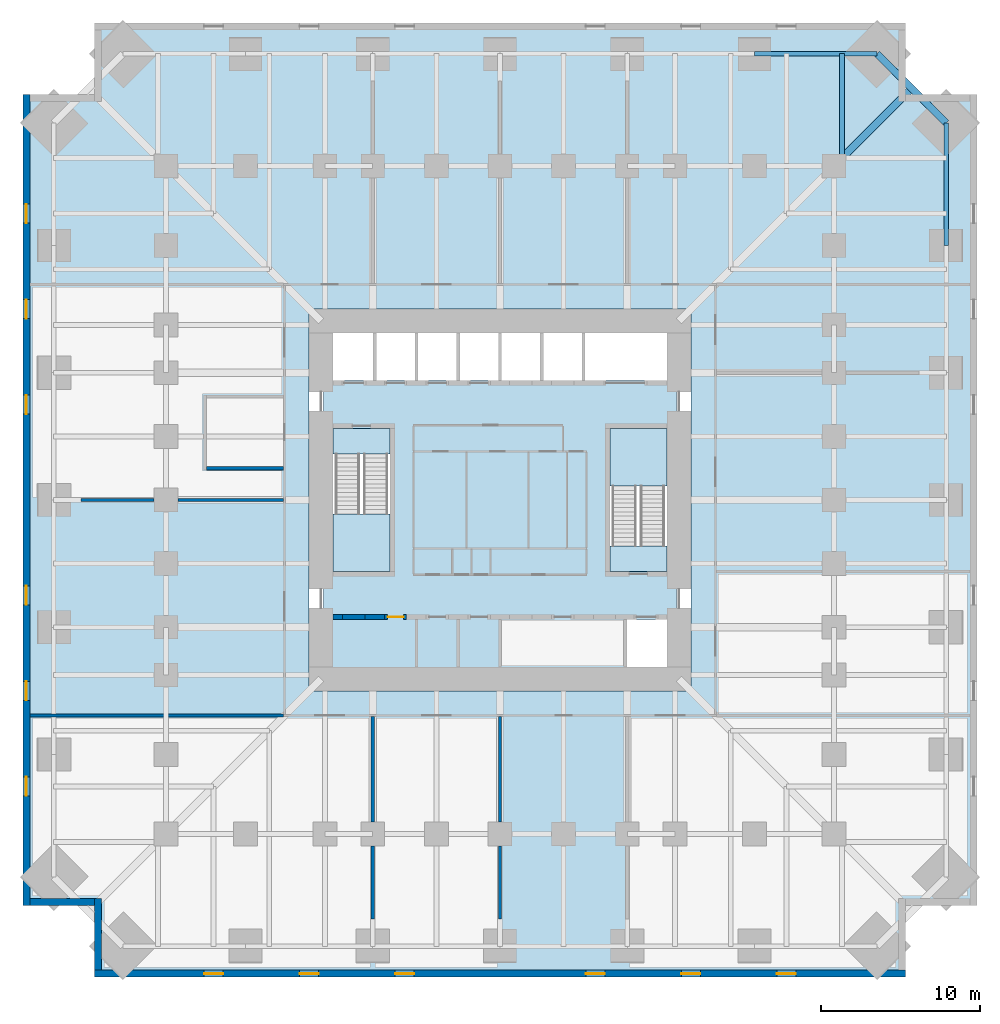
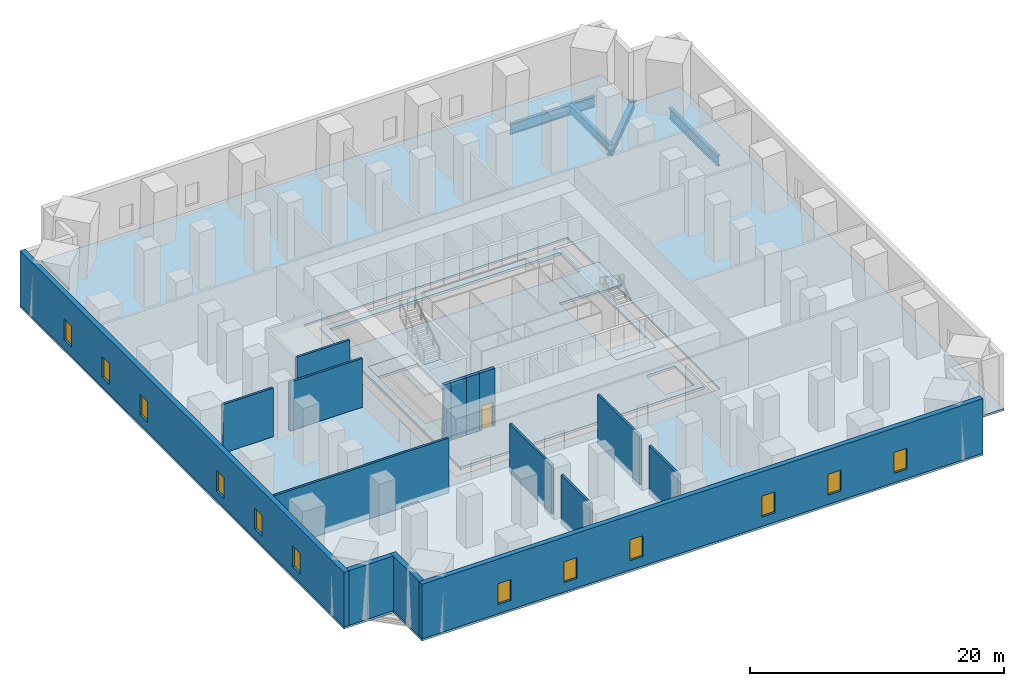
# One storey, part 3 of 8: 16 walls, 12 windows, 6 slabs, 5 beams, 1 door, 13 openings, 2 elements without a shape of their own.
"""IFC4 building model written with IfcOpenShell, lengths in metres."""

import ifcopenshell
import ifcopenshell.guid

model = None  # the IFC model being written
_history = None  # IfcOwnerHistory: only IFC2X3 demands one
_inside = {}  # id of a spatial element -> (the spatial element, [elements in it])
_under = {}  # id of a project, library or spatial element -> (it, [spatial elements below it])
_declared = {}  # id of a project -> (the project, [libraries it declares])
_typed = {}  # id of a type object -> (the type object, [elements of that type])
_made_of = {}  # id of a material, layer set ... -> (it, [elements and type objects made of it])


def new_model(schema):
    """Start an empty IFC model of exactly this schema.

    Asked for "IFC4X3", IfcOpenShell would pick the latest addendum, in which some entities
    have other attributes; the version numbers below select the first issue.
    IFC2X3 requires an IfcOwnerHistory on every rooted entity: one is made here for all.
    """
    global model, _history
    if schema == "IFC4X3":
        model = ifcopenshell.file(schema_version=(4, 3, 0, 0))
    else:
        model = ifcopenshell.file(schema=schema)
    _inside.clear()
    _under.clear()
    _declared.clear()
    _typed.clear()
    _made_of.clear()
    _history = None
    if model.schema == "IFC2X3":
        org = make("IfcOrganization", Name="unknown")
        user = make(
            "IfcPersonAndOrganization",
            ThePerson=make("IfcPerson", FamilyName="unknown"),
            TheOrganization=org,
        )
        app = make(
            "IfcApplication",
            ApplicationDeveloper=org,
            Version="unknown",
            ApplicationFullName="unknown",
            ApplicationIdentifier="unknown",
        )
        _history = make(
            "IfcOwnerHistory",
            OwningUser=user,
            OwningApplication=app,
            ChangeAction="ADDED",
            CreationDate=0,
        )
    return model


def make(cls, **values):
    """One entity of the class cls with the attributes given. An attribute that is None is left unset."""
    return model.create_entity(
        cls, **{name: value for name, value in values.items() if value is not None}
    )


def rooted(cls, **values):
    """An entity with a GlobalId (a new one), such as an element, a storey or a relation."""
    return make(cls, GlobalId=ifcopenshell.guid.new(), OwnerHistory=_history, **values)


def si_unit(unit_type, name, prefix=None):
    """IfcSIUnit, for example si_unit("LENGTHUNIT", "METRE", prefix="MILLI")."""
    return make("IfcSIUnit", UnitType=unit_type, Prefix=prefix, Name=name)


def assignment(units):
    """IfcUnitAssignment: the units of a project."""
    return None if units is None else make("IfcUnitAssignment", Units=units)


def point(xyz):
    """IfcCartesianPoint."""
    return None if xyz is None else make("IfcCartesianPoint", Coordinates=xyz)


def direction(xyz):
    """IfcDirection."""
    return None if xyz is None else make("IfcDirection", DirectionRatios=xyz)


def frame(location, z_axis=None, x_axis=None):
    """IfcAxis2Placement3D, a coordinate frame: its origin and axes. An axis left out is left unset."""
    return make(
        "IfcAxis2Placement3D",
        Location=point(location),
        Axis=direction(z_axis),
        RefDirection=direction(x_axis),
    )


def frame_2d(location, x_axis=None):
    """IfcAxis2Placement2D, a coordinate frame in the plane: its origin and x axis."""
    return make(
        "IfcAxis2Placement2D", Location=point(location), RefDirection=direction(x_axis)
    )


def origin():
    """The frame at (0, 0, 0) with its axes left unset."""
    return frame((0.0, 0.0, 0.0))


def origin_2d():
    """The frame at (0, 0) in the plane with its x axis left unset."""
    return frame_2d((0.0, 0.0))


def place(relative_to, where):
    """IfcLocalPlacement: puts the frame where relative to a parent placement (None: the world)."""
    return make(
        "IfcLocalPlacement", PlacementRelTo=relative_to, RelativePlacement=where
    )


def context(
    kind, dimensions, precision=None, world=None, true_north=None, identifier=None
):
    """IfcGeometricRepresentationContext, for example the 3D "Model" context."""
    return make(
        "IfcGeometricRepresentationContext",
        ContextIdentifier=identifier,
        ContextType=kind,
        CoordinateSpaceDimension=dimensions,
        Precision=precision,
        WorldCoordinateSystem=world,
        TrueNorth=true_north,
    )


def subcontext(parent, identifier, kind, view, scale=None):
    """IfcGeometricRepresentationSubContext, for example "Body" below "Model"."""
    return make(
        "IfcGeometricRepresentationSubContext",
        ContextIdentifier=identifier,
        ContextType=kind,
        ParentContext=parent,
        TargetScale=scale,
        TargetView=view,
    )


def project(units=None, contexts=None):
    """IfcProject with its units and contexts."""
    return rooted(
        "IfcProject",
        Name="project",
        RepresentationContexts=contexts,
        UnitsInContext=assignment(units),
    )


def spatial(cls, under=None, at=None, **own):
    """A site, building, storey or space (cls), placed at a placement, below another one or the project."""
    s = rooted(cls, ObjectPlacement=at, **own)
    if under is not None:
        _under.setdefault(under.id(), (under, []))[1].append(s)
    return s


def polyline(points):
    """IfcPolyline through the points."""
    return make("IfcPolyline", Points=[point(p) for p in points])


def profile(cls, at=None, kind="AREA", **sizes):
    """A parametric profile (cls). Its sizes go by their IFC names, for example OverallWidth=200.0."""
    return make(cls, ProfileType=kind, Position=at, **sizes)


def rectangle(**sizes):
    """IfcRectangleProfileDef."""
    return profile("IfcRectangleProfileDef", **sizes)


def i_section(**sizes):
    """IfcIShapeProfileDef."""
    return profile("IfcIShapeProfileDef", **sizes)


def outline(outer, holes=None, kind="AREA"):
    """IfcArbitraryClosedProfileDef: a profile drawn as a closed curve; with holes, ...WithVoids."""
    if holes is None:
        return make("IfcArbitraryClosedProfileDef", ProfileType=kind, OuterCurve=outer)
    return make(
        "IfcArbitraryProfileDefWithVoids",
        ProfileType=kind,
        OuterCurve=outer,
        InnerCurves=holes,
    )


def extrude(swept, where, along, depth):
    """IfcExtrudedAreaSolid: the profile swept, set in the frame where, extruded along a direction by depth."""
    return make(
        "IfcExtrudedAreaSolid",
        SweptArea=swept,
        Position=where,
        ExtrudedDirection=direction(along),
        Depth=depth,
    )


def shape(context_of_items, identifier, shape_type, items):
    """IfcShapeRepresentation: the items that make up one representation, for example the "Body"."""
    return make(
        "IfcShapeRepresentation",
        ContextOfItems=context_of_items,
        RepresentationIdentifier=identifier,
        RepresentationType=shape_type,
        Items=items,
    )


def material(Name=None, Category=None):
    """IfcMaterial."""
    return make("IfcMaterial", Name=Name, Category=Category)


def layer(
    of_material, thickness, ventilated=None, Name=None, Category=None, Priority=None
):
    """IfcMaterialLayer: one layer of a wall or slab, of a material (None: an air gap)."""
    return make(
        "IfcMaterialLayer",
        Material=of_material,
        LayerThickness=thickness,
        IsVentilated=ventilated,
        Name=Name,
        Category=Category,
        Priority=Priority,
    )


def layer_set(layers, Name=None):
    """IfcMaterialLayerSet."""
    return make("IfcMaterialLayerSet", MaterialLayers=layers, LayerSetName=Name)


def material_profile(
    of_material, cross_section, Name=None, Category=None, Priority=None
):
    """IfcMaterialProfile: a cross section and its material."""
    return make(
        "IfcMaterialProfile",
        Name=Name,
        Material=of_material,
        Profile=cross_section,
        Priority=Priority,
        Category=Category,
    )


def profile_set(profiles, Name=None, composite=None):
    """IfcMaterialProfileSet."""
    return make(
        "IfcMaterialProfileSet",
        Name=Name,
        MaterialProfiles=profiles,
        CompositeProfile=composite,
    )


def made_of(thing, what):
    """Note that an element or type object is made of a material, layer set ...; save() writes the relation."""
    if what is not None:
        _made_of.setdefault(what.id(), (what, []))[1].append(thing)
    return thing


def type_object(cls, material=None, **own):
    """A type object (cls), such as IfcWallType, which elements share."""
    return made_of(rooted(cls, **own), material)


def element(
    cls,
    number,
    at=None,
    inside=None,
    cuts=None,
    type_object=None,
    material=None,
    context=None,
    identifier="Body",
    shape_type=None,
    held_by="IfcProductDefinitionShape",
    body=None,
    shapes=None,
    **own,
):
    """One element of the class cls, such as IfcWall. Its Tag is "e" and its number.

    at: its placement. inside: the storey or other place that contains it. cuts: it is an
    opening in that element (IfcRelVoidsElement). A single representation is given by context,
    identifier, shape_type and body (its items); several are given by shapes. held_by: the class
    of the entity that holds the representations. save() writes the other relations.
    """
    e = rooted(cls, Tag="e%d" % number, ObjectPlacement=at, **own)
    if body is not None:
        shapes = [shape(context, identifier, shape_type, body)]
    if shapes is not None:
        e.Representation = make(held_by, Representations=shapes)
    if inside is not None:
        _inside.setdefault(inside.id(), (inside, []))[1].append(e)
    if cuts is not None:
        rooted(
            "IfcRelVoidsElement", RelatingBuildingElement=cuts, RelatedOpeningElement=e
        )
    if type_object is not None:
        _typed.setdefault(type_object.id(), (type_object, []))[1].append(e)
    return made_of(e, material)


def fill(opening, filler):
    """IfcRelFillsElement: the door or window that sits in an opening."""
    return rooted(
        "IfcRelFillsElement",
        RelatingOpeningElement=opening,
        RelatedBuildingElement=filler,
    )


def aggregate(whole, parts):
    """IfcRelAggregates: a whole, such as a stair, and the parts it consists of."""
    return rooted("IfcRelAggregates", RelatingObject=whole, RelatedObjects=parts)


def save(model, path):
    """Write the relations noted so far, then the file.

    IfcRelAggregates (storeys below a building ...), IfcRelContainedInSpatialStructure (elements
    in a storey), IfcRelDefinesByType, IfcRelAssociatesMaterial and IfcRelDeclares: one each for
    every whole, place, type object, material and project.
    """
    for whole, parts in _under.values():
        aggregate(whole, parts)
    for where, things in _inside.values():
        rooted(
            "IfcRelContainedInSpatialStructure",
            RelatedElements=things,
            RelatingStructure=where,
        )
    for kind, things in _typed.values():
        rooted("IfcRelDefinesByType", RelatedObjects=things, RelatingType=kind)
    for what, things in _made_of.values():
        rooted("IfcRelAssociatesMaterial", RelatedObjects=things, RelatingMaterial=what)
    for by, libraries in _declared.values():
        rooted("IfcRelDeclares", RelatingContext=by, RelatedDefinitions=libraries)
    model.write(path)


model = new_model("IFC4")

# Units and contexts
model_context = context("Model", 3, precision=1e-05, world=origin(), true_north=direction((0.0, 1.0)))
body_context = subcontext(model_context, "Body", "Model", "MODEL_VIEW")
ifc_project = project(units=[si_unit("LENGTHUNIT", "METRE"), si_unit("AREAUNIT", "SQUARE_METRE"), si_unit("VOLUMEUNIT", "CUBIC_METRE"), si_unit("PLANEANGLEUNIT", "RADIAN"), si_unit("MASSUNIT", "GRAM", prefix="KILO")], contexts=[model_context])

# Site, building, storey
site_placement = place(None, origin())
site = spatial("IfcSite", under=ifc_project, at=site_placement, CompositionType="ELEMENT")
building_placement = place(site_placement, origin())
building = spatial("IfcBuilding", under=site, at=building_placement, Name="Peilmerk Tower", CompositionType="ELEMENT")
storey_placement = place(building_placement, frame((0.0, 0.0, 70.5)))
storey = spatial("IfcBuildingStorey", under=building, at=storey_placement, Name="L13", CompositionType="ELEMENT", Elevation=70.5)

# Beams
ifc_material_1 = material(Name="Steel S355", Category="steel")
ifc_material_profile_1 = material_profile(ifc_material_1, i_section(OverallWidth=0.302001953125, OverallDepth=1.008056640625, WebThickness=0.02099609375, FlangeThickness=0.0400390625, at=origin_2d()), Name="HEM 1000")
ifc_profile_set_1 = profile_set([ifc_material_profile_1], Name="Steel S355")
beam_type_1 = type_object("IfcBeamType", Name="B1 HEM 1000 edge beam", PredefinedType="SPANDREL", material=ifc_profile_set_1)
for number, where, z_axis, x_axis, name in (
    (1, (23.7041015625, 28.053955078125, -0.7041015625), (-1.0, 0.0, 0.0), (0.0, -1.0, 0.0), "Edge beam L13"),
    (2, (28.053955078125, 16.0, -0.7041015625), (0.0, 1.0, 0.0), (-1.0, 0.0, 0.0), "Edge beam L13"),
):
    element("IfcBeam", number, at=place(storey_placement, frame(where, z_axis=z_axis, x_axis=x_axis)), inside=storey, type_object=beam_type_1, Name=name, PredefinedType="SPANDREL", context=body_context, shape_type="SweptSolid", body=[
        extrude(i_section(OverallWidth=0.302001953125, OverallDepth=1.008056640625, WebThickness=0.02099609375, FlangeThickness=0.0400390625, at=origin_2d()), origin(), (0.0, 0.0, 1.0), 7.7041015625),
    ])
ifc_material_2 = material(Name="Steel S460", Category="steel")
ifc_material_profile_2 = material_profile(ifc_material_2, i_section(OverallWidth=0.4541015625, OverallDepth=0.569091796875, WebThickness=0.077880859375, FlangeThickness=0.125, at=origin_2d()), Name="HD 400x1086")
ifc_profile_set_2 = profile_set([ifc_material_profile_2], Name="Steel S460")
beam_type_2 = type_object("IfcBeamType", Name="B17 HD 400x1086 edge beam", PredefinedType="SPANDREL", material=ifc_profile_set_2)
beam_1_placement = place(storey_placement, frame((23.7041015625, 28.053955078125, -0.484619140625), z_axis=(0.707106781187, -0.707106781187, 0.0), x_axis=(0.707106781187, 0.707106781187, 0.0)))
element("IfcBeam", 3, at=beam_1_placement, inside=storey, type_object=beam_type_2, Name="Notch beam L13", PredefinedType="SPANDREL", context=body_context, shape_type="SweptSolid", body=[
    extrude(i_section(OverallWidth=0.4541015625, OverallDepth=0.569091796875, WebThickness=0.077880859375, FlangeThickness=0.125, at=origin_2d()), origin(), (0.0, 0.0, 1.0), 6.151611328125),
])
ifc_material_profile_3 = material_profile(ifc_material_1, i_section(OverallWidth=0.4541015625, OverallDepth=0.569091796875, WebThickness=0.077880859375, FlangeThickness=0.125, at=origin_2d()), Name="HD 400x1086")
ifc_profile_set_3 = profile_set([ifc_material_profile_3], Name="Steel S355")
beam_type_3 = type_object("IfcBeamType", Name="B22 HD 400x1086 floor girder", PredefinedType="BEAM", material=ifc_profile_set_3)
beam_2_placement = place(storey_placement, frame((21.0, 21.0, -0.484619140625), z_axis=(0.707106781187, 0.707106781187, 0.0), x_axis=(-0.707106781187, 0.707106781187, 0.0)))
element("IfcBeam", 4, at=beam_2_placement, inside=storey, type_object=beam_type_3, Name="Corner girder L13", PredefinedType="BEAM", context=body_context, shape_type="SweptSolid", body=[
    extrude(i_section(OverallWidth=0.4541015625, OverallDepth=0.569091796875, WebThickness=0.077880859375, FlangeThickness=0.125, at=origin_2d()), origin(), (0.0, 0.0, 1.0), 6.900146484375),
])
ifc_material_profile_4 = material_profile(ifc_material_2, i_section(OverallWidth=0.302978515625, OverallDepth=0.81396484375, WebThickness=0.02099609375, FlangeThickness=0.0400390625, at=origin_2d()), Name="HEM 800")
ifc_profile_set_4 = profile_set([ifc_material_profile_4], Name="Steel S460")
beam_type_4 = type_object("IfcBeamType", Name="B26 HEM 800 floor beam", PredefinedType="BEAM", material=ifc_profile_set_4)
beam_3_placement = place(storey_placement, frame((21.5, 21.5, -0.60693359375), z_axis=(0.0, 1.0, 0.0), x_axis=(-1.0, 0.0, 0.0)))
element("IfcBeam", 5, at=beam_3_placement, inside=storey, type_object=beam_type_4, Name="Floor beam L13", PredefinedType="BEAM", context=body_context, shape_type="SweptSolid", body=[
    extrude(i_section(OverallWidth=0.302978515625, OverallDepth=0.81396484375, WebThickness=0.02099609375, FlangeThickness=0.0400390625, at=origin_2d()), origin(), (0.0, 0.0, 1.0), 6.553955078125),
])

# Slabs
ifc_material_3 = material(Name="Concrete C55/67", Category="concrete")
ifc_layer_1 = layer(ifc_material_3, 0.25)
ifc_layer_set_1 = layer_set([ifc_layer_1], Name="Concrete C55/67")
slab_type_1 = type_object("IfcSlabType", Name="CS250 250 core floor slab", PredefinedType="FLOOR", material=ifc_layer_set_1)
slab_1_placement = place(storey_placement, frame((0.0, 0.0, -0.25)))
element("IfcSlab", 6, at=slab_1_placement, inside=storey, type_object=slab_type_1, Name="Core slab L13", PredefinedType="FLOOR", context=body_context, shape_type="SweptSolid", body=[
    extrude(outline(polyline([(-11.10009765625, 11.10009765625), (-11.10009765625, -11.10009765625), (11.10009765625, -11.10009765625), (11.10009765625, 11.10009765625), (-11.10009765625, 11.10009765625)]), holes=[polyline([(10.5, 7.5), (-10.5, 7.5), (-10.5, 10.5), (10.5, 10.5), (10.5, 7.5)]), polyline([(7.875, -10.5), (7.875, -7.5), (10.5, -7.5), (10.5, -10.5), (7.875, -10.5)]), polyline([(-10.5, 4.5), (-6.89990234375, 4.5), (-6.89990234375, -4.5), (-10.5, -4.5), (-10.5, 4.5)]), polyline([(10.5, 4.5), (10.5, -4.5), (6.89990234375, -4.5), (6.89990234375, 4.5), (10.5, 4.5)])]), origin(), (0.0, 0.0, 1.0), 0.25),
])
ifc_material_4 = material(Name="Concrete C35/45", Category="concrete")
ifc_layer_2 = layer(ifc_material_4, 0.199951171875)
ifc_layer_set_2 = layer_set([ifc_layer_2], Name="Concrete C35/45")
slab_type_2 = type_object("IfcSlabType", Name="FS200 200 composite floor slab", PredefinedType="FLOOR", material=ifc_layer_set_2)
slab_2_placement = place(storey_placement, frame((0.0, 0.0, -0.199951171875)))
element("IfcSlab", 7, at=slab_2_placement, inside=storey, type_object=slab_type_2, Name="Floor slab L13", PredefinedType="FLOOR", context=body_context, shape_type="SweptSolid", body=[
    extrude(outline(polyline([(-25.5, -30.0), (25.5, -30.0), (25.5, -25.5), (30.0, -25.5), (30.0, 25.5), (25.5, 25.5), (25.5, 30.0), (-25.5, 30.0), (-25.5, 25.5), (-30.0, 25.5), (-30.0, -25.5), (-25.5, -25.5), (-25.5, -30.0)]), holes=[polyline([(12.0, 12.0), (12.0, -12.0), (-12.0, -12.0), (-12.0, 12.0), (12.0, 12.0)])]), origin(), (0.0, 0.0, 1.0), 0.199951171875),
])

# Stair, slab
ifc_material_5 = material(Name="Precast concrete C45/55", Category="concrete")
stair_type_1 = type_object("IfcStairType", Name="ST1 30 risers of 183.3", PredefinedType="HALF_TURN_STAIR", material=ifc_material_5)
stair_1_placement = place(storey_placement, origin())
stair_1 = element("IfcStair", 8, at=stair_1_placement, inside=storey, type_object=stair_type_1, Name="Stair 1 L13 to L14", PredefinedType="HALF_TURN_STAIR")
ifc_layer_3 = layer(ifc_material_4, 0.199951171875)
ifc_layer_set_3 = layer_set([ifc_layer_3], Name="Concrete C35/45")
slab_type_3 = type_object("IfcSlabType", Name="SL1 200 concrete stair landing", PredefinedType="LANDING", material=ifc_layer_set_3)
slab_3_placement = place(storey_placement, frame((0.0, 0.0, 2.550048828125)))
slab_3 = element("IfcSlab", 9, at=slab_3_placement, type_object=slab_type_3, Name="ST1 landing 1", PredefinedType="LANDING", context=body_context, shape_type="SweptSolid", body=[
    extrude(outline(polyline([(-10.5, -4.5), (-6.89990234375, -4.5), (-6.89990234375, -0.8798828125), (-10.5, -0.8798828125), (-10.5, -4.5)])), origin(), (0.0, 0.0, 1.0), 0.199951171875),
])

stair_type_2 = type_object("IfcStairType", Name="ST2 30 risers of 183.3", PredefinedType="HALF_TURN_STAIR", material=ifc_material_5)
stair_2_placement = place(storey_placement, origin())
stair_2 = element("IfcStair", 10, at=stair_2_placement, inside=storey, type_object=stair_type_2, Name="Stair 2 L13 to L14", PredefinedType="HALF_TURN_STAIR")
slab_4_placement = place(storey_placement, frame((0.0, 0.0, 2.550048828125)))
slab_4 = element("IfcSlab", 11, at=slab_4_placement, type_object=slab_type_3, Name="ST2 landing 1", PredefinedType="LANDING", context=body_context, shape_type="SweptSolid", body=[
    extrude(outline(polyline([(6.89990234375, 0.8798828125), (10.5, 0.8798828125), (10.5, 4.5), (6.89990234375, 4.5), (6.89990234375, 0.8798828125)])), origin(), (0.0, 0.0, 1.0), 0.199951171875),
])

# Slab
ifc_layer_4 = layer(ifc_material_4, 0.25)
ifc_layer_set_4 = layer_set([ifc_layer_4], Name="Concrete C35/45")
slab_type_4 = type_object("IfcSlabType", Name="SL2 250 concrete floor landing", PredefinedType="LANDING", material=ifc_layer_set_4)
slab_5_placement = place(storey_placement, frame((0.0, 0.0, -0.25)))
slab_5 = element("IfcSlab", 12, at=slab_5_placement, type_object=slab_type_4, Name="ST1 floor landing", PredefinedType="LANDING", context=body_context, shape_type="SweptSolid", body=[
    extrude(outline(polyline([(-10.5, 2.89990234375), (-6.89990234375, 2.89990234375), (-6.89990234375, 4.5), (-10.5, 4.5), (-10.5, 2.89990234375)])), origin(), (0.0, 0.0, 1.0), 0.25),
])

aggregate(stair_1, [slab_3, slab_5])

slab_6_placement = place(storey_placement, frame((0.0, 0.0, -0.25)))
slab_6 = element("IfcSlab", 13, at=slab_6_placement, type_object=slab_type_4, Name="ST2 floor landing", PredefinedType="LANDING", context=body_context, shape_type="SweptSolid", body=[
    extrude(outline(polyline([(6.89990234375, -4.5), (10.5, -4.5), (10.5, -2.89990234375), (6.89990234375, -2.89990234375), (6.89990234375, -4.5)])), origin(), (0.0, 0.0, 1.0), 0.25),
])

aggregate(stair_2, [slab_4, slab_6])

# Wall, openings, windows
ifc_material_6 = material(Name="Precast concrete C45/55, board-marked finish", Category="concrete")
ifc_layer_5 = layer(ifc_material_6, 0.449951171875)
ifc_layer_set_5 = layer_set([ifc_layer_5], Name="Precast concrete C45/55, board-marked finish")
wall_type_1 = type_object("IfcWallType", Name="EW1 450 precast concrete facade wall, board-marked", PredefinedType="SOLIDWALL", material=ifc_layer_set_5)
wall_1_placement = place(storey_placement, frame((-25.5, -29.77490234375, 0.0), z_axis=(0.0, 0.0, 1.0), x_axis=(1.0, 0.0, 0.0)))
wall_1 = element("IfcWall", 14, at=wall_1_placement, inside=storey, type_object=wall_type_1, Name="Facade wall S L13", PredefinedType="SOLIDWALL", context=body_context, shape_type="SweptSolid", body=[
    extrude(rectangle(XDim=51.0, YDim=0.449951171875, at=frame_2d((25.5, 0.0))), origin(), (0.0, 0.0, 1.0), 5.25),
])
opening_1_placement = place(wall_1_placement, frame((6.89990234375, 0.0, 0.89990234375)))
opening_1 = element("IfcOpeningElement", 15, at=opening_1_placement, cuts=wall_1, Name="Opening W2", PredefinedType="OPENING", context=body_context, shape_type="SweptSolid", body=[
    extrude(rectangle(XDim=1.199951171875, YDim=2.0, at=frame_2d((0.60009765625, 1.0))), frame((0.0, 0.23486328125, 0.0), z_axis=(0.0, -1.0, 0.0), x_axis=(1.0, 0.0, 0.0)), (0.0, 0.0, 1.0), 0.469970703125),
])
opening_2_placement = place(wall_1_placement, frame((12.89990234375, 0.0, 0.89990234375)))
opening_2 = element("IfcOpeningElement", 16, at=opening_2_placement, cuts=wall_1, Name="Opening W2", PredefinedType="OPENING", context=body_context, shape_type="SweptSolid", body=[
    extrude(rectangle(XDim=1.199951171875, YDim=2.0, at=frame_2d((0.60009765625, 1.0))), frame((0.0, 0.23486328125, 0.0), z_axis=(0.0, -1.0, 0.0), x_axis=(1.0, 0.0, 0.0)), (0.0, 0.0, 1.0), 0.469970703125),
])
opening_3_placement = place(wall_1_placement, frame((18.89990234375, 0.0, 0.89990234375)))
opening_3 = element("IfcOpeningElement", 17, at=opening_3_placement, cuts=wall_1, Name="Opening W2", PredefinedType="OPENING", context=body_context, shape_type="SweptSolid", body=[
    extrude(rectangle(XDim=1.199951171875, YDim=2.0, at=frame_2d((0.60009765625, 1.0))), frame((0.0, 0.23486328125, 0.0), z_axis=(0.0, -1.0, 0.0), x_axis=(1.0, 0.0, 0.0)), (0.0, 0.0, 1.0), 0.469970703125),
])
opening_4_placement = place(wall_1_placement, frame((30.89990234375, 0.0, 0.89990234375)))
opening_4 = element("IfcOpeningElement", 18, at=opening_4_placement, cuts=wall_1, Name="Opening W2", PredefinedType="OPENING", context=body_context, shape_type="SweptSolid", body=[
    extrude(rectangle(XDim=1.199951171875, YDim=2.0, at=frame_2d((0.60009765625, 1.0))), frame((0.0, 0.23486328125, 0.0), z_axis=(0.0, -1.0, 0.0), x_axis=(1.0, 0.0, 0.0)), (0.0, 0.0, 1.0), 0.469970703125),
])
opening_5_placement = place(wall_1_placement, frame((36.89990234375, 0.0, 0.89990234375)))
opening_5 = element("IfcOpeningElement", 19, at=opening_5_placement, cuts=wall_1, Name="Opening W2", PredefinedType="OPENING", context=body_context, shape_type="SweptSolid", body=[
    extrude(rectangle(XDim=1.199951171875, YDim=2.0, at=frame_2d((0.60009765625, 1.0))), frame((0.0, 0.23486328125, 0.0), z_axis=(0.0, -1.0, 0.0), x_axis=(1.0, 0.0, 0.0)), (0.0, 0.0, 1.0), 0.469970703125),
])
opening_6_placement = place(wall_1_placement, frame((42.89990234375, 0.0, 0.89990234375)))
opening_6 = element("IfcOpeningElement", 20, at=opening_6_placement, cuts=wall_1, Name="Opening W2", PredefinedType="OPENING", context=body_context, shape_type="SweptSolid", body=[
    extrude(rectangle(XDim=1.199951171875, YDim=2.0, at=frame_2d((0.60009765625, 1.0))), frame((0.0, 0.23486328125, 0.0), z_axis=(0.0, -1.0, 0.0), x_axis=(1.0, 0.0, 0.0)), (0.0, 0.0, 1.0), 0.469970703125),
])
ifc_material_7 = material(Name="Aluminium frame, clear double glazing", Category="aluminium")
window_type = type_object("IfcWindowType", Name="W2 1200x2000 data hall slot window", PartitioningType="SINGLE_PANEL", PredefinedType="WINDOW", material=ifc_material_7)
window_1_placement = place(opening_1_placement, origin())
window_1 = element("IfcWindow", 21, at=window_1_placement, inside=storey, type_object=window_type, Name="Window W2 L13", OverallHeight=2.0, OverallWidth=1.199951171875, PartitioningType="SINGLE_PANEL", PredefinedType="WINDOW", context=body_context, shape_type="SweptSolid", body=[
    extrude(rectangle(XDim=1.199951171875, YDim=2.0, at=frame_2d((0.60009765625, 1.0))), frame((0.0, 0.030029296875, 0.0), z_axis=(0.0, -1.0, 0.0), x_axis=(1.0, 0.0, 0.0)), (0.0, 0.0, 1.0), 0.06005859375),
])
fill(opening_1, window_1)
window_2_placement = place(opening_2_placement, origin())
window_2 = element("IfcWindow", 22, at=window_2_placement, inside=storey, type_object=window_type, Name="Window W2 L13", OverallHeight=2.0, OverallWidth=1.199951171875, PartitioningType="SINGLE_PANEL", PredefinedType="WINDOW", context=body_context, shape_type="SweptSolid", body=[
    extrude(rectangle(XDim=1.199951171875, YDim=2.0, at=frame_2d((0.60009765625, 1.0))), frame((0.0, 0.030029296875, 0.0), z_axis=(0.0, -1.0, 0.0), x_axis=(1.0, 0.0, 0.0)), (0.0, 0.0, 1.0), 0.06005859375),
])
fill(opening_2, window_2)
window_3_placement = place(opening_3_placement, origin())
window_3 = element("IfcWindow", 23, at=window_3_placement, inside=storey, type_object=window_type, Name="Window W2 L13", OverallHeight=2.0, OverallWidth=1.199951171875, PartitioningType="SINGLE_PANEL", PredefinedType="WINDOW", context=body_context, shape_type="SweptSolid", body=[
    extrude(rectangle(XDim=1.199951171875, YDim=2.0, at=frame_2d((0.60009765625, 1.0))), frame((0.0, 0.030029296875, 0.0), z_axis=(0.0, -1.0, 0.0), x_axis=(1.0, 0.0, 0.0)), (0.0, 0.0, 1.0), 0.06005859375),
])
fill(opening_3, window_3)
window_4_placement = place(opening_4_placement, origin())
window_4 = element("IfcWindow", 24, at=window_4_placement, inside=storey, type_object=window_type, Name="Window W2 L13", OverallHeight=2.0, OverallWidth=1.199951171875, PartitioningType="SINGLE_PANEL", PredefinedType="WINDOW", context=body_context, shape_type="SweptSolid", body=[
    extrude(rectangle(XDim=1.199951171875, YDim=2.0, at=frame_2d((0.60009765625, 1.0))), frame((0.0, 0.030029296875, 0.0), z_axis=(0.0, -1.0, 0.0), x_axis=(1.0, 0.0, 0.0)), (0.0, 0.0, 1.0), 0.06005859375),
])
fill(opening_4, window_4)
window_5_placement = place(opening_5_placement, origin())
window_5 = element("IfcWindow", 25, at=window_5_placement, inside=storey, type_object=window_type, Name="Window W2 L13", OverallHeight=2.0, OverallWidth=1.199951171875, PartitioningType="SINGLE_PANEL", PredefinedType="WINDOW", context=body_context, shape_type="SweptSolid", body=[
    extrude(rectangle(XDim=1.199951171875, YDim=2.0, at=frame_2d((0.60009765625, 1.0))), frame((0.0, 0.030029296875, 0.0), z_axis=(0.0, -1.0, 0.0), x_axis=(1.0, 0.0, 0.0)), (0.0, 0.0, 1.0), 0.06005859375),
])
fill(opening_5, window_5)
window_6_placement = place(opening_6_placement, origin())
window_6 = element("IfcWindow", 26, at=window_6_placement, inside=storey, type_object=window_type, Name="Window W2 L13", OverallHeight=2.0, OverallWidth=1.199951171875, PartitioningType="SINGLE_PANEL", PredefinedType="WINDOW", context=body_context, shape_type="SweptSolid", body=[
    extrude(rectangle(XDim=1.199951171875, YDim=2.0, at=frame_2d((0.60009765625, 1.0))), frame((0.0, 0.030029296875, 0.0), z_axis=(0.0, -1.0, 0.0), x_axis=(1.0, 0.0, 0.0)), (0.0, 0.0, 1.0), 0.06005859375),
])
fill(opening_6, window_6)

wall_2_placement = place(storey_placement, frame((-29.77490234375, 25.5, 0.0), z_axis=(0.0, 0.0, 1.0), x_axis=(0.0, -1.0, 0.0)))
wall_2 = element("IfcWall", 27, at=wall_2_placement, inside=storey, type_object=wall_type_1, Name="Facade wall W L13", PredefinedType="SOLIDWALL", context=body_context, shape_type="SweptSolid", body=[
    extrude(rectangle(XDim=51.0, YDim=0.449951171875, at=frame_2d((25.5, 0.0))), origin(), (0.0, 0.0, 1.0), 5.25),
])
opening_7_placement = place(wall_2_placement, frame((6.89990234375, 0.0, 0.89990234375)))
opening_7 = element("IfcOpeningElement", 28, at=opening_7_placement, cuts=wall_2, Name="Opening W2", PredefinedType="OPENING", context=body_context, shape_type="SweptSolid", body=[
    extrude(rectangle(XDim=1.199951171875, YDim=2.0, at=frame_2d((0.60009765625, 1.0))), frame((0.0, 0.23486328125, 0.0), z_axis=(0.0, -1.0, 0.0), x_axis=(1.0, 0.0, 0.0)), (0.0, 0.0, 1.0), 0.469970703125),
])
opening_8_placement = place(wall_2_placement, frame((12.89990234375, 0.0, 0.89990234375)))
opening_8 = element("IfcOpeningElement", 29, at=opening_8_placement, cuts=wall_2, Name="Opening W2", PredefinedType="OPENING", context=body_context, shape_type="SweptSolid", body=[
    extrude(rectangle(XDim=1.199951171875, YDim=2.0, at=frame_2d((0.60009765625, 1.0))), frame((0.0, 0.23486328125, 0.0), z_axis=(0.0, -1.0, 0.0), x_axis=(1.0, 0.0, 0.0)), (0.0, 0.0, 1.0), 0.469970703125),
])
opening_9_placement = place(wall_2_placement, frame((18.89990234375, 0.0, 0.89990234375)))
opening_9 = element("IfcOpeningElement", 30, at=opening_9_placement, cuts=wall_2, Name="Opening W2", PredefinedType="OPENING", context=body_context, shape_type="SweptSolid", body=[
    extrude(rectangle(XDim=1.199951171875, YDim=2.0, at=frame_2d((0.60009765625, 1.0))), frame((0.0, 0.23486328125, 0.0), z_axis=(0.0, -1.0, 0.0), x_axis=(1.0, 0.0, 0.0)), (0.0, 0.0, 1.0), 0.469970703125),
])
opening_10_placement = place(wall_2_placement, frame((30.89990234375, 0.0, 0.89990234375)))
opening_10 = element("IfcOpeningElement", 31, at=opening_10_placement, cuts=wall_2, Name="Opening W2", PredefinedType="OPENING", context=body_context, shape_type="SweptSolid", body=[
    extrude(rectangle(XDim=1.199951171875, YDim=2.0, at=frame_2d((0.60009765625, 1.0))), frame((0.0, 0.23486328125, 0.0), z_axis=(0.0, -1.0, 0.0), x_axis=(1.0, 0.0, 0.0)), (0.0, 0.0, 1.0), 0.469970703125),
])
opening_11_placement = place(wall_2_placement, frame((36.89990234375, 0.0, 0.89990234375)))
opening_11 = element("IfcOpeningElement", 32, at=opening_11_placement, cuts=wall_2, Name="Opening W2", PredefinedType="OPENING", context=body_context, shape_type="SweptSolid", body=[
    extrude(rectangle(XDim=1.199951171875, YDim=2.0, at=frame_2d((0.60009765625, 1.0))), frame((0.0, 0.23486328125, 0.0), z_axis=(0.0, -1.0, 0.0), x_axis=(1.0, 0.0, 0.0)), (0.0, 0.0, 1.0), 0.469970703125),
])
opening_12_placement = place(wall_2_placement, frame((42.89990234375, 0.0, 0.89990234375)))
opening_12 = element("IfcOpeningElement", 33, at=opening_12_placement, cuts=wall_2, Name="Opening W2", PredefinedType="OPENING", context=body_context, shape_type="SweptSolid", body=[
    extrude(rectangle(XDim=1.199951171875, YDim=2.0, at=frame_2d((0.60009765625, 1.0))), frame((0.0, 0.23486328125, 0.0), z_axis=(0.0, -1.0, 0.0), x_axis=(1.0, 0.0, 0.0)), (0.0, 0.0, 1.0), 0.469970703125),
])
window_7_placement = place(opening_7_placement, origin())
window_7 = element("IfcWindow", 34, at=window_7_placement, inside=storey, type_object=window_type, Name="Window W2 L13", OverallHeight=2.0, OverallWidth=1.199951171875, PartitioningType="SINGLE_PANEL", PredefinedType="WINDOW", context=body_context, shape_type="SweptSolid", body=[
    extrude(rectangle(XDim=1.199951171875, YDim=2.0, at=frame_2d((0.60009765625, 1.0))), frame((0.0, 0.030029296875, 0.0), z_axis=(0.0, -1.0, 0.0), x_axis=(1.0, 0.0, 0.0)), (0.0, 0.0, 1.0), 0.06005859375),
])
fill(opening_7, window_7)
window_8_placement = place(opening_8_placement, origin())
window_8 = element("IfcWindow", 35, at=window_8_placement, inside=storey, type_object=window_type, Name="Window W2 L13", OverallHeight=2.0, OverallWidth=1.199951171875, PartitioningType="SINGLE_PANEL", PredefinedType="WINDOW", context=body_context, shape_type="SweptSolid", body=[
    extrude(rectangle(XDim=1.199951171875, YDim=2.0, at=frame_2d((0.60009765625, 1.0))), frame((0.0, 0.030029296875, 0.0), z_axis=(0.0, -1.0, 0.0), x_axis=(1.0, 0.0, 0.0)), (0.0, 0.0, 1.0), 0.06005859375),
])
fill(opening_8, window_8)
window_9_placement = place(opening_9_placement, origin())
window_9 = element("IfcWindow", 36, at=window_9_placement, inside=storey, type_object=window_type, Name="Window W2 L13", OverallHeight=2.0, OverallWidth=1.199951171875, PartitioningType="SINGLE_PANEL", PredefinedType="WINDOW", context=body_context, shape_type="SweptSolid", body=[
    extrude(rectangle(XDim=1.199951171875, YDim=2.0, at=frame_2d((0.60009765625, 1.0))), frame((0.0, 0.030029296875, 0.0), z_axis=(0.0, -1.0, 0.0), x_axis=(1.0, 0.0, 0.0)), (0.0, 0.0, 1.0), 0.06005859375),
])
fill(opening_9, window_9)
window_10_placement = place(opening_10_placement, origin())
window_10 = element("IfcWindow", 37, at=window_10_placement, inside=storey, type_object=window_type, Name="Window W2 L13", OverallHeight=2.0, OverallWidth=1.199951171875, PartitioningType="SINGLE_PANEL", PredefinedType="WINDOW", context=body_context, shape_type="SweptSolid", body=[
    extrude(rectangle(XDim=1.199951171875, YDim=2.0, at=frame_2d((0.60009765625, 1.0))), frame((0.0, 0.030029296875, 0.0), z_axis=(0.0, -1.0, 0.0), x_axis=(1.0, 0.0, 0.0)), (0.0, 0.0, 1.0), 0.06005859375),
])
fill(opening_10, window_10)
window_11_placement = place(opening_11_placement, origin())
window_11 = element("IfcWindow", 38, at=window_11_placement, inside=storey, type_object=window_type, Name="Window W2 L13", OverallHeight=2.0, OverallWidth=1.199951171875, PartitioningType="SINGLE_PANEL", PredefinedType="WINDOW", context=body_context, shape_type="SweptSolid", body=[
    extrude(rectangle(XDim=1.199951171875, YDim=2.0, at=frame_2d((0.60009765625, 1.0))), frame((0.0, 0.030029296875, 0.0), z_axis=(0.0, -1.0, 0.0), x_axis=(1.0, 0.0, 0.0)), (0.0, 0.0, 1.0), 0.06005859375),
])
fill(opening_11, window_11)
window_12_placement = place(opening_12_placement, origin())
window_12 = element("IfcWindow", 39, at=window_12_placement, inside=storey, type_object=window_type, Name="Window W2 L13", OverallHeight=2.0, OverallWidth=1.199951171875, PartitioningType="SINGLE_PANEL", PredefinedType="WINDOW", context=body_context, shape_type="SweptSolid", body=[
    extrude(rectangle(XDim=1.199951171875, YDim=2.0, at=frame_2d((0.60009765625, 1.0))), frame((0.0, 0.030029296875, 0.0), z_axis=(0.0, -1.0, 0.0), x_axis=(1.0, 0.0, 0.0)), (0.0, 0.0, 1.0), 0.06005859375),
])
fill(opening_12, window_12)

# Walls
wall_3_placement = place(storey_placement, frame((-25.27490234375, -25.050048828125, 0.0), z_axis=(0.0, 0.0, 1.0), x_axis=(0.0, -1.0, 0.0)))
element("IfcWall", 40, at=wall_3_placement, inside=storey, type_object=wall_type_1, Name="Facade wall SWA L13", PredefinedType="SOLIDWALL", context=body_context, shape_type="SweptSolid", body=[
    extrude(rectangle(XDim=4.5, YDim=0.449951171875, at=frame_2d((2.25, 0.0))), origin(), (0.0, 0.0, 1.0), 5.25),
])
wall_4_placement = place(storey_placement, frame((-25.5, -25.27490234375, 0.0), z_axis=(0.0, 0.0, 1.0), x_axis=(-1.0, 0.0, 0.0)))
element("IfcWall", 41, at=wall_4_placement, inside=storey, type_object=wall_type_1, Name="Facade wall SWB L13", PredefinedType="SOLIDWALL", context=body_context, shape_type="SweptSolid", body=[
    extrude(rectangle(XDim=4.050048828125, YDim=0.449951171875, at=frame_2d((2.02490234375, 0.0))), origin(), (0.0, 0.0, 1.0), 5.25),
])
ifc_material_8 = material(Name="Calcium silicate block", Category="masonry")
ifc_layer_6 = layer(ifc_material_8, 0.199951171875)
ifc_layer_set_6 = layer_set([ifc_layer_6], Name="Calcium silicate block")
wall_type_2 = type_object("IfcWallType", Name="IW2 200 room separating wall, EI 120", PredefinedType="PARTITIONING", material=ifc_layer_set_6)
wall_5_placement = place(storey_placement, frame((-13.625, -13.550048828125, 0.0), z_axis=(0.0, 0.0, 1.0), x_axis=(-1.0, 0.0, 0.0)))
element("IfcWall", 42, at=wall_5_placement, inside=storey, type_object=wall_type_2, Name="Room separating wall SW L13", PredefinedType="PARTITIONING", context=body_context, shape_type="SweptSolid", body=[
    extrude(rectangle(XDim=15.925048828125, YDim=0.199951171875, at=frame_2d((7.96240234375, 0.0))), origin(), (0.0, 0.0, 1.0), 5.25),
])
wall_6_placement = place(storey_placement, frame((-8.0, -13.625, 0.0), z_axis=(0.0, 0.0, 1.0), x_axis=(0.0, -1.0, 0.0)))
element("IfcWall", 43, at=wall_6_placement, inside=storey, type_object=wall_type_2, Name="Room separating wall S1 L13", PredefinedType="PARTITIONING", context=body_context, shape_type="SweptSolid", body=[
    extrude(rectangle(XDim=6.625, YDim=0.199951171875, at=frame_2d((3.3125, 0.0))), origin(), (0.0, 0.0, 1.0), 4.680908203125),
])
wall_7_placement = place(storey_placement, frame((-8.0, -21.75, 0.0), z_axis=(0.0, 0.0, 1.0), x_axis=(0.0, -1.0, 0.0)))
element("IfcWall", 44, at=wall_7_placement, inside=storey, type_object=wall_type_2, Name="Room separating wall S1b L13", PredefinedType="PARTITIONING", context=body_context, shape_type="SweptSolid", body=[
    extrude(rectangle(XDim=4.597412109375, YDim=0.199951171875, at=frame_2d((2.298828125, 0.0))), origin(), (0.0, 0.0, 1.0), 4.680908203125),
])
wall_8_placement = place(storey_placement, frame((0.0, -13.625, 0.0), z_axis=(0.0, 0.0, 1.0), x_axis=(0.0, -1.0, 0.0)))
element("IfcWall", 45, at=wall_8_placement, inside=storey, type_object=wall_type_2, Name="Room separating wall S2 L13", PredefinedType="PARTITIONING", context=body_context, shape_type="SweptSolid", body=[
    extrude(rectangle(XDim=6.625, YDim=0.199951171875, at=frame_2d((3.3125, 0.0))), origin(), (0.0, 0.0, 1.0), 4.680908203125),
])
wall_9_placement = place(storey_placement, frame((0.0, -21.75, 0.0), z_axis=(0.0, 0.0, 1.0), x_axis=(0.0, -1.0, 0.0)))
element("IfcWall", 46, at=wall_9_placement, inside=storey, type_object=wall_type_2, Name="Room separating wall S2b L13", PredefinedType="PARTITIONING", context=body_context, shape_type="SweptSolid", body=[
    extrude(rectangle(XDim=4.597412109375, YDim=0.199951171875, at=frame_2d((2.298828125, 0.0))), origin(), (0.0, 0.0, 1.0), 4.680908203125),
])
wall_10_placement = place(storey_placement, frame((-13.625, 0.0, 0.0), z_axis=(0.0, 0.0, 1.0), x_axis=(-1.0, 0.0, 0.0)))
element("IfcWall", 47, at=wall_10_placement, inside=storey, type_object=wall_type_2, Name="Room separating wall W1 L13", PredefinedType="PARTITIONING", context=body_context, shape_type="SweptSolid", body=[
    extrude(rectangle(XDim=6.625, YDim=0.199951171875, at=frame_2d((3.3125, 0.0))), origin(), (0.0, 0.0, 1.0), 4.680908203125),
])
wall_11_placement = place(storey_placement, frame((-21.75, 0.0, 0.0), z_axis=(0.0, 0.0, 1.0), x_axis=(-1.0, 0.0, 0.0)))
element("IfcWall", 48, at=wall_11_placement, inside=storey, type_object=wall_type_2, Name="Room separating wall W1b L13", PredefinedType="PARTITIONING", context=body_context, shape_type="SweptSolid", body=[
    extrude(rectangle(XDim=4.597412109375, YDim=0.199951171875, at=frame_2d((2.298828125, 0.0))), origin(), (0.0, 0.0, 1.0), 4.680908203125),
])
wall_12_placement = place(storey_placement, frame((-13.625, 2.0, 0.0), z_axis=(0.0, 0.0, 1.0), x_axis=(-1.0, 0.0, 0.0)))
element("IfcWall", 49, at=wall_12_placement, inside=storey, type_object=wall_type_2, Name="Room separating wall Operations office L13", PredefinedType="PARTITIONING", context=body_context, shape_type="SweptSolid", body=[
    extrude(rectangle(XDim=4.824951171875, YDim=0.199951171875, at=frame_2d((2.41259765625, 0.0))), origin(), (0.0, 0.0, 1.0), 5.25),
])
ifc_layer_7 = layer(ifc_material_8, 0.300048828125)
ifc_layer_set_7 = layer_set([ifc_layer_7], Name="Calcium silicate block")
wall_type_3 = type_object("IfcWallType", Name="SH2 300 lift landing door panel, EI 120", PredefinedType="PARTITIONING", material=ifc_layer_set_7)
wall_13_placement = place(storey_placement, frame((-9.887451171875, -7.35009765625, 0.0), z_axis=(0.0, 0.0, 1.0), x_axis=(1.0, 0.0, 0.0)))
element("IfcWall", 50, at=wall_13_placement, inside=storey, type_object=wall_type_3, Name="Lift door panel S C4 L13", PredefinedType="PARTITIONING", context=body_context, shape_type="SweptSolid", body=[
    extrude(rectangle(XDim=1.39990234375, YDim=0.300048828125, at=frame_2d((0.699951171875, 0.0))), origin(), (0.0, 0.0, 1.0), 5.5),
])

# Wall, opening, door
wall_14_placement = place(storey_placement, frame((-7.262451171875, -7.35009765625, 0.0), z_axis=(0.0, 0.0, 1.0), x_axis=(1.0, 0.0, 0.0)))
wall_14 = element("IfcWall", 51, at=wall_14_placement, inside=storey, type_object=wall_type_3, Name="Lift door panel S C3 L13", PredefinedType="PARTITIONING", context=body_context, shape_type="SweptSolid", body=[
    extrude(rectangle(XDim=1.39990234375, YDim=0.300048828125, at=frame_2d((0.699951171875, 0.0))), origin(), (0.0, 0.0, 1.0), 5.5),
])
opening_13_placement = place(wall_14_placement, frame((0.199951171875, 0.0, 0.0)))
opening_13 = element("IfcOpeningElement", 52, at=opening_13_placement, cuts=wall_14, Name="Opening D10", PredefinedType="OPENING", context=body_context, shape_type="SweptSolid", body=[
    extrude(rectangle(XDim=1.0, YDim=2.300048828125, at=frame_2d((0.5, 1.14990234375))), frame((0.0, 0.159912109375, 0.0), z_axis=(0.0, -1.0, 0.0), x_axis=(1.0, 0.0, 0.0)), (0.0, 0.0, 1.0), 0.320068359375),
])
ifc_material_9 = material(Name="Steel door in steel frame", Category="steel")
door_type = type_object("IfcDoorType", Name="D10 1000x2300 core room door, EI2 60", OperationType="SINGLE_SWING_RIGHT", PredefinedType="DOOR", material=ifc_material_9)
door_placement = place(opening_13_placement, frame((1.0, 0.0, 0.0), z_axis=(0.0, 0.0, 1.0), x_axis=(-1.0, 0.0, 0.0)))
door = element("IfcDoor", 53, at=door_placement, inside=storey, type_object=door_type, Name="Door Waste room L13", OperationType="SINGLE_SWING_RIGHT", OverallHeight=2.300048828125, OverallWidth=1.0, PredefinedType="DOOR", context=body_context, shape_type="SweptSolid", body=[
    extrude(rectangle(XDim=1.0, YDim=2.300048828125, at=frame_2d((0.5, 1.14990234375))), frame((0.0, 0.02490234375, 0.0), z_axis=(0.0, -1.0, 0.0), x_axis=(1.0, 0.0, 0.0)), (0.0, 0.0, 1.0), 0.050048828125),
])
fill(opening_13, door)

# Walls
ifc_layer_8 = layer(ifc_material_3, 0.300048828125)
ifc_layer_set_8 = layer_set([ifc_layer_8], Name="Concrete C55/67")
wall_type_4 = type_object("IfcWallType", Name="SW2 300 lift bank pier", PredefinedType="SHEAR", material=ifc_layer_set_8)
wall_15_placement = place(storey_placement, frame((-10.5, -7.35009765625, 0.0), z_axis=(0.0, 0.0, 1.0), x_axis=(1.0, 0.0, 0.0)))
element("IfcWall", 54, at=wall_15_placement, inside=storey, type_object=wall_type_4, Name="Lift bank pier S L13", PredefinedType="SHEAR", context=body_context, shape_type="SweptSolid", body=[
    extrude(rectangle(XDim=0.612548828125, YDim=0.300048828125, at=frame_2d((0.30615234375, 0.0))), origin(), (0.0, 0.0, 1.0), 5.5),
])
wall_16_placement = place(storey_placement, frame((-8.487548828125, -7.35009765625, 0.0), z_axis=(0.0, 0.0, 1.0), x_axis=(1.0, 0.0, 0.0)))
element("IfcWall", 55, at=wall_16_placement, inside=storey, type_object=wall_type_4, Name="Lift bank pier S L13", PredefinedType="SHEAR", context=body_context, shape_type="SweptSolid", body=[
    extrude(rectangle(XDim=1.22509765625, YDim=0.300048828125, at=frame_2d((0.612548828125, 0.0))), origin(), (0.0, 0.0, 1.0), 5.5),
])

save(model, "model.ifc")
